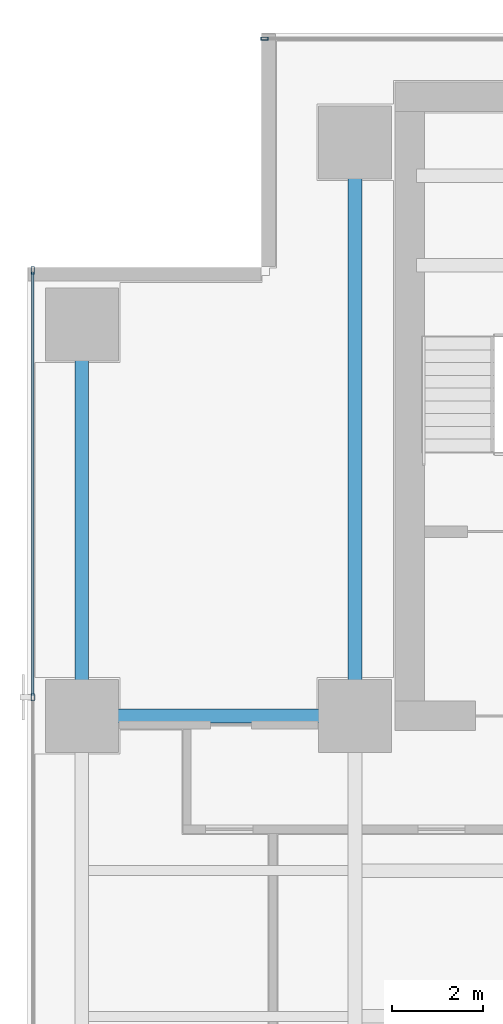
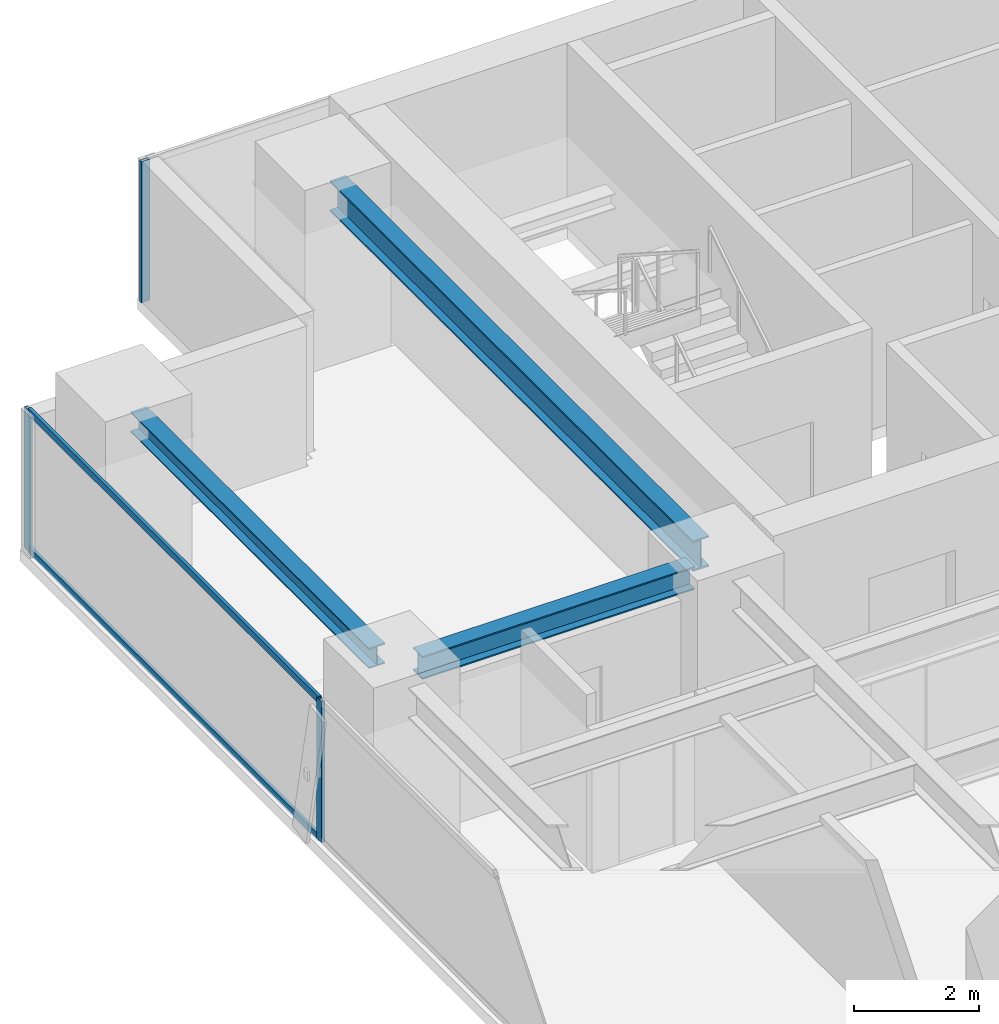
# One storey, part 14 of 28: 5 members, 3 beams, 2 elements without a shape of their own.
"""IFC4 building model written with IfcOpenShell, lengths in metres."""

from ifc_helpers import new_model, si_unit, direction, frame, origin, origin_2d, place, context, subcontext, project, spatial, hollow_rectangle, i_section, extrude, source, transform, mapped, material, layer, layer_set, material_profile, profile_set, type_object, element, aggregate, save


model = new_model("IFC4")

# Units and contexts
model_context = context("Model", 3, precision=1e-05, world=origin(), true_north=direction((0.0, 1.0)))
body_context = subcontext(model_context, "Body", "Model", "MODEL_VIEW")
ifc_project = project(units=[si_unit("LENGTHUNIT", "METRE"), si_unit("AREAUNIT", "SQUARE_METRE"), si_unit("VOLUMEUNIT", "CUBIC_METRE"), si_unit("PLANEANGLEUNIT", "RADIAN"), si_unit("MASSUNIT", "GRAM", prefix="KILO")], contexts=[model_context])

# Site, building, storey
site_placement = place(None, origin())
site = spatial("IfcSite", under=ifc_project, at=site_placement, CompositionType="ELEMENT")
building_placement = place(site_placement, origin())
building = spatial("IfcBuilding", under=site, at=building_placement, Name="Sumidabori Civic Tower", CompositionType="ELEMENT")
storey_placement = place(building_placement, frame((0.0, 0.0, 174.800048828125)))
storey = spatial("IfcBuildingStorey", under=building, at=storey_placement, Name="L45", CompositionType="ELEMENT", Elevation=174.800048828125)

# Beams
ifc_material_1 = material(Name="Steel SN490", Category="steel")
ifc_material_profile_1 = material_profile(ifc_material_1, i_section(OverallWidth=0.300048828125, OverallDepth=0.39990234375, WebThickness=0.013427734375, FlangeThickness=0.02392578125, at=origin_2d()), Name="HE 400 B")
ifc_profile_set_1 = profile_set([ifc_material_profile_1], Name="Steel SN490")
beam_type_1 = type_object("IfcBeamType", Name="BM-GIRD-400", PredefinedType="BEAM", material=ifc_profile_set_1)
shared_shape_1 = source(origin(), body_context, "Body", "SweptSolid", [
    extrude(i_section(OverallWidth=0.300048828125, OverallDepth=0.39990234375, WebThickness=0.013427734375, FlangeThickness=0.02392578125, at=origin_2d()), origin(), (0.0, 0.0, 1.0), 7.64013671875),
])
beam_1_placement = place(storey_placement, frame((-22.800048828125, 10.679931640625, 3.179931640625), z_axis=(0.0, 1.0, 0.0), x_axis=(-1.0, 0.0, 0.0)))
element("IfcBeam", 1, at=beam_1_placement, inside=storey, type_object=beam_type_1, Name="Primary Girder L45 GY-21", PredefinedType="BEAM", context=body_context, shape_type="MappedRepresentation", body=[
    mapped(shared_shape_1, transform((0.0, 0.0, 0.0), x_axis=(1.0, 0.0, 0.0), y_axis=(0.0, 1.0, 0.0), z_axis=(0.0, 0.0, 1.0), scale=1.0)),
])
ifc_material_profile_2 = material_profile(ifc_material_1, i_section(OverallWidth=0.300048828125, OverallDepth=0.60009765625, WebThickness=0.015380859375, FlangeThickness=0.030029296875, at=origin_2d()), Name="HE 600 B")
ifc_profile_set_2 = profile_set([ifc_material_profile_2], Name="Steel SN490")
beam_type_2 = type_object("IfcBeamType", Name="BM-GIRD-600", PredefinedType="BEAM", material=ifc_profile_set_2)
shared_shape_2 = source(origin(), body_context, "Body", "SweptSolid", [
    extrude(i_section(OverallWidth=0.300048828125, OverallDepth=0.60009765625, WebThickness=0.015380859375, FlangeThickness=0.030029296875, at=origin_2d()), origin(), (0.0, 0.0, 1.0), 11.64013671875),
])
beam_2_placement = place(storey_placement, frame((-16.800048828125, 10.679931640625, 3.079833984375), z_axis=(0.0, 1.0, 0.0), x_axis=(-1.0, 0.0, 0.0)))
element("IfcBeam", 2, at=beam_2_placement, inside=storey, type_object=beam_type_2, Name="Primary Girder L45 GY-25", PredefinedType="BEAM", context=body_context, shape_type="MappedRepresentation", body=[
    mapped(shared_shape_2, transform((0.0, 0.0, 0.0), x_axis=(1.0, 0.0, 0.0), y_axis=(0.0, 1.0, 0.0), z_axis=(0.0, 0.0, 1.0), scale=1.0)),
])
ifc_material_profile_3 = material_profile(ifc_material_1, i_section(OverallWidth=0.300048828125, OverallDepth=0.449951171875, WebThickness=0.013916015625, FlangeThickness=0.02587890625, at=origin_2d()), Name="HE 450 B")
ifc_profile_set_3 = profile_set([ifc_material_profile_3], Name="Steel SN490")
beam_type_3 = type_object("IfcBeamType", Name="BM-GIRD-450", PredefinedType="BEAM", material=ifc_profile_set_3)
shared_shape_3 = source(origin(), body_context, "Body", "SweptSolid", [
    extrude(i_section(OverallWidth=0.300048828125, OverallDepth=0.449951171875, WebThickness=0.013916015625, FlangeThickness=0.02587890625, at=origin_2d()), origin(), (0.0, 0.0, 1.0), 5.0400390625),
])
beam_3_placement = place(storey_placement, frame((-22.320068359375, 10.199951171875, 3.155029296875), z_axis=(1.0, 0.0, 0.0), x_axis=(0.0, 1.0, 0.0)))
element("IfcBeam", 3, at=beam_3_placement, inside=storey, type_object=beam_type_3, Name="Primary Girder L45 GX-17", PredefinedType="BEAM", context=body_context, shape_type="MappedRepresentation", body=[
    mapped(shared_shape_3, transform((0.0, 0.0, 0.0), x_axis=(1.0, 0.0, 0.0), y_axis=(0.0, 1.0, 0.0), z_axis=(0.0, 0.0, 1.0), scale=1.0)),
])

# Curtain wall, member
ifc_material_2 = material(Name="Anodised Bronze Aluminium AW-6063-T6", Category="aluminium")
ifc_layer = layer(ifc_material_2, 0.179931640625, Name="Anodised Bronze Aluminium AW-6063-T6")
ifc_layer_set = layer_set([ifc_layer], Name="Anodised Bronze Aluminium AW-6063-T6")
curtain_wall_type = type_object("IfcCurtainWallType", Name="CW-SYS-3", PredefinedType="NOTDEFINED", material=ifc_layer_set)
curtain_wall_1_placement = place(storey_placement, origin())
curtain_wall_1 = element("IfcCurtainWall", 4, at=curtain_wall_1_placement, inside=storey, type_object=curtain_wall_type, Name="Curtain Wall CW:L45:R07", PredefinedType="NOTDEFINED")
ifc_material_profile_4 = material_profile(ifc_material_2, hollow_rectangle(XDim=0.06494140625, YDim=0.159912109375, WallThickness=0.0048828125, at=origin_2d()), Name="ALU MULLION 160x65")
ifc_profile_set_4 = profile_set([ifc_material_profile_4], Name="Anodised Bronze Aluminium AW-6063-T6")
member_type_1 = type_object("IfcMemberType", Name="CW-MUL-160", PredefinedType="MULLION", material=ifc_profile_set_4)
shared_shape_4 = source(origin(), body_context, "Body", "SweptSolid", [
    extrude(hollow_rectangle(XDim=0.06494140625, YDim=0.159912109375, WallThickness=0.0048828125, at=origin_2d()), origin(), (0.0, 0.0, 1.0), 2.760009765625),
])
member_1_placement = place(storey_placement, frame((-18.78759765625, 25.080078125, 0.0), z_axis=(0.0, 0.0, 1.0), x_axis=(0.0, -1.0, 0.0)))
member_1 = element("IfcMember", 5, at=member_1_placement, type_object=member_type_1, Name="CW-3 mullion 5", PredefinedType="MULLION", context=body_context, shape_type="MappedRepresentation", body=[
    mapped(shared_shape_4, transform((0.0, 0.0, 0.0), x_axis=(1.0, 0.0, 0.0), y_axis=(0.0, 1.0, 0.0), z_axis=(0.0, 0.0, 1.0), scale=1.0)),
])
aggregate(curtain_wall_1, [member_1])

# Curtain wall, members
curtain_wall_2_placement = place(storey_placement, origin())
curtain_wall_2 = element("IfcCurtainWall", 6, at=curtain_wall_2_placement, inside=storey, type_object=curtain_wall_type, Name="Curtain Wall CW:L45:R10", PredefinedType="NOTDEFINED")
member_2_placement = place(storey_placement, frame((-23.8798828125, 19.987548828125, 0.0), z_axis=(0.0, 0.0, 1.0), x_axis=(1.0, 0.0, 0.0)))
member_2 = element("IfcMember", 7, at=member_2_placement, type_object=member_type_1, Name="CW-3 mullion 1", PredefinedType="MULLION", context=body_context, shape_type="MappedRepresentation", body=[
    mapped(shared_shape_4, transform((0.0, 0.0, 0.0), x_axis=(1.0, 0.0, 0.0), y_axis=(0.0, 1.0, 0.0), z_axis=(0.0, 0.0, 1.0), scale=1.0)),
])
member_3_placement = place(storey_placement, frame((-23.8798828125, 10.610107421875, 0.0), z_axis=(0.0, 0.0, 1.0), x_axis=(1.0, 0.0, 0.0)))
member_3 = element("IfcMember", 8, at=member_3_placement, type_object=member_type_1, Name="CW-3 mullion 2", PredefinedType="MULLION", context=body_context, shape_type="MappedRepresentation", body=[
    mapped(shared_shape_4, transform((0.0, 0.0, 0.0), x_axis=(1.0, 0.0, 0.0), y_axis=(0.0, 1.0, 0.0), z_axis=(0.0, 0.0, 1.0), scale=1.0)),
])
ifc_material_profile_5 = material_profile(ifc_material_2, hollow_rectangle(XDim=0.06005859375, YDim=0.1298828125, WallThickness=0.0048828125, at=origin_2d()), Name="ALU TRANSOM 130x60")
ifc_profile_set_5 = profile_set([ifc_material_profile_5], Name="Anodised Bronze Aluminium AW-6063-T6")
member_type_2 = type_object("IfcMemberType", Name="CW-TRN-130", PredefinedType="USERDEFINED", material=ifc_profile_set_5)
shared_shape_5 = source(origin(), body_context, "Body", "SweptSolid", [
    extrude(hollow_rectangle(XDim=0.06005859375, YDim=0.1298828125, WallThickness=0.0048828125, at=origin_2d()), origin(), (0.0, 0.0, 1.0), 9.3125),
])
member_4_placement = place(storey_placement, frame((-23.8798828125, 19.955078125, 0.030029296875), z_axis=(0.0, -1.0, 0.0), x_axis=(1.0, 0.0, 0.0)))
member_4 = element("IfcMember", 9, at=member_4_placement, type_object=member_type_2, Name="CW-3 transom 1.1", ObjectType="TRANSOM", PredefinedType="USERDEFINED", context=body_context, shape_type="MappedRepresentation", body=[
    mapped(shared_shape_5, transform((0.0, 0.0, 0.0), x_axis=(1.0, 0.0, 0.0), y_axis=(0.0, 1.0, 0.0), z_axis=(0.0, 0.0, 1.0), scale=1.0)),
])
member_5_placement = place(storey_placement, frame((-23.8798828125, 19.955078125, 2.72998046875), z_axis=(0.0, -1.0, 0.0), x_axis=(1.0, 0.0, 0.0)))
member_5 = element("IfcMember", 10, at=member_5_placement, type_object=member_type_2, Name="CW-3 transom 1.2", ObjectType="TRANSOM", PredefinedType="USERDEFINED", context=body_context, shape_type="MappedRepresentation", body=[
    mapped(shared_shape_5, transform((0.0, 0.0, 0.0), x_axis=(1.0, 0.0, 0.0), y_axis=(0.0, 1.0, 0.0), z_axis=(0.0, 0.0, 1.0), scale=1.0)),
])
aggregate(curtain_wall_2, [member_2, member_3, member_4, member_5])

save(model, "model.ifc")
